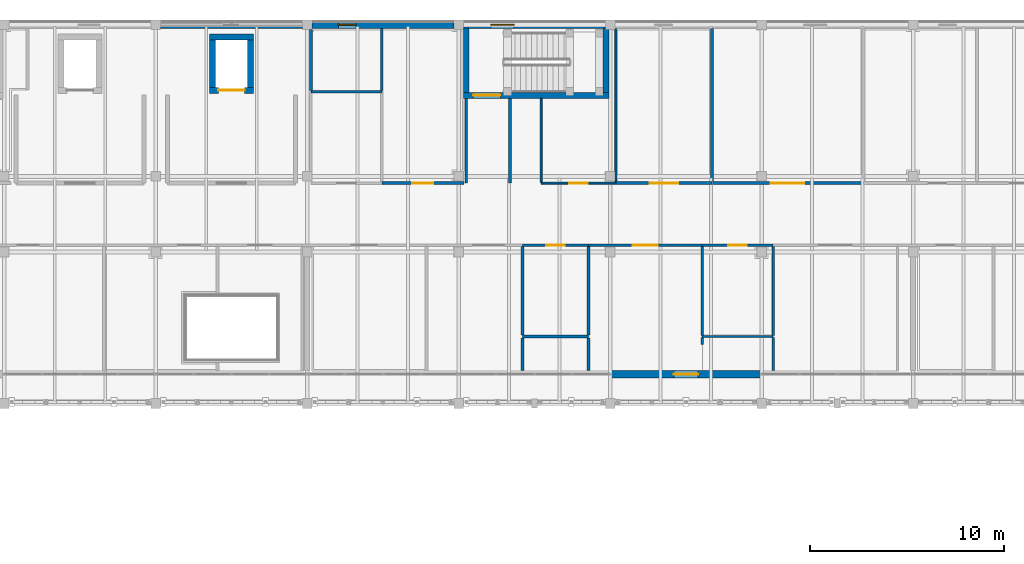
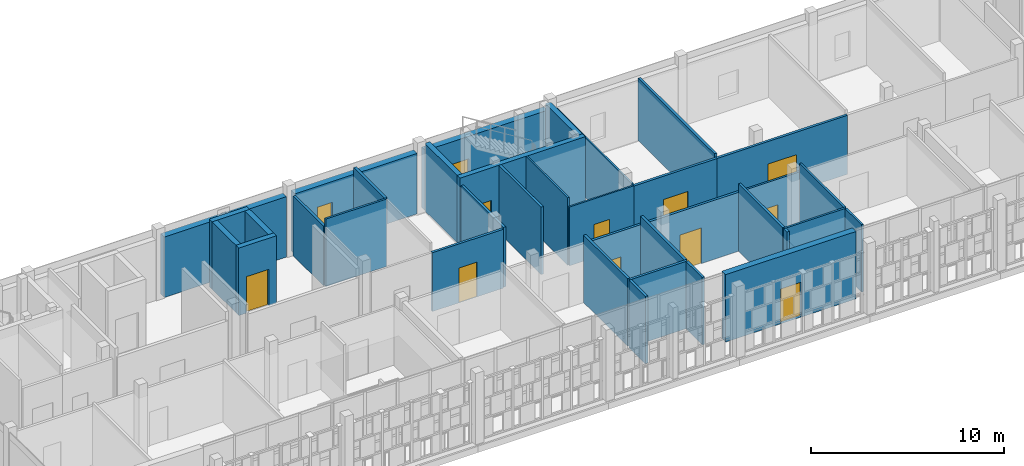
# One storey, part 70 of 89: 36 walls, 10 doors, 2 windows, 12 openings.
"""IFC4 building model written with IfcOpenShell, lengths in metres."""

from ifc_helpers import new_model, si_unit, direction, frame, frame_2d, origin, place, context, subcontext, project, spatial, rectangle, extrude, material, layer, layer_set, type_object, element, fill, save


model = new_model("IFC4")

# Units and contexts
model_context = context("Model", 3, precision=1e-05, world=origin(), true_north=direction((0.0, 1.0)))
body_context = subcontext(model_context, "Body", "Model", "MODEL_VIEW")
ifc_project = project(units=[si_unit("LENGTHUNIT", "METRE"), si_unit("AREAUNIT", "SQUARE_METRE"), si_unit("VOLUMEUNIT", "CUBIC_METRE"), si_unit("PLANEANGLEUNIT", "RADIAN"), si_unit("MASSUNIT", "GRAM", prefix="KILO")], contexts=[model_context])

# Site, building, storey
site_placement = place(None, origin())
site = spatial("IfcSite", under=ifc_project, at=site_placement, CompositionType="ELEMENT")
building_placement = place(site_placement, origin())
building = spatial("IfcBuilding", under=site, at=building_placement, Name="Celorna Specialist Clinic", CompositionType="ELEMENT")
storey_placement = place(building_placement, frame((0.0, 0.0, 14.10009765625)))
storey = spatial("IfcBuildingStorey", under=building, at=storey_placement, Name="L03", CompositionType="ELEMENT", Elevation=14.10009765625)

# Wall, opening, door
ifc_material_1 = material(Name="Terracotta masonry with insulated cavity", Category="masonry")
ifc_layer_1 = layer(ifc_material_1, 0.3798828125, Name="Terracotta masonry with insulated cavity")
ifc_layer_set_1 = layer_set([ifc_layer_1], Name="Terracotta masonry with insulated cavity")
wall_type_1 = type_object("IfcWallType", Name="WT-06", PredefinedType="STANDARD", material=ifc_layer_set_1)
wall_1_placement = place(storey_placement, frame((93.60009765625, 98.0, 0.0), z_axis=(0.0, 0.0, 1.0), x_axis=(-1.0, 0.0, 0.0)))
wall_1 = element("IfcWall", 1, at=wall_1_placement, inside=storey, type_object=wall_type_1, Name="External facade wall WT-06 #255", PredefinedType="STANDARD", context=body_context, shape_type="SweptSolid", body=[
    extrude(rectangle(XDim=7.800048828125, YDim=0.3798828125, at=frame_2d((3.89990234375, 0.0))), origin(), (0.0, 0.0, 1.0), 4.260009765625),
])
opening_1_placement = place(wall_1_placement, frame((3.27490234375, 0.0, 0.0)))
opening_1 = element("IfcOpeningElement", 2, at=opening_1_placement, cuts=wall_1, Name="Opening DR-13", PredefinedType="OPENING", context=body_context, shape_type="SweptSolid", body=[
    extrude(rectangle(XDim=1.25, YDim=2.199951171875, at=frame_2d((0.625, 1.10009765625))), frame((0.0, 0.199951171875, 0.0), z_axis=(0.0, -1.0, 0.0), x_axis=(1.0, 0.0, 0.0)), (0.0, 0.0, 1.0), 0.39990234375),
])
ifc_material_2 = material(Name="Thermally broken glazed terrace door")
door_type_1 = type_object("IfcDoorType", Name="DR-13", OperationType="NOTDEFINED", PredefinedType="DOOR", material=ifc_material_2)
door_1_placement = place(opening_1_placement, frame((1.25, 0.0, 0.0), z_axis=(0.0, 0.0, 1.0), x_axis=(-1.0, 0.0, 0.0)))
door_1 = element("IfcDoor", 3, at=door_1_placement, inside=storey, type_object=door_type_1, Name="Terrace access door TER-V4-VER-L03", OperationType="SINGLE_SWING_LEFT", OverallHeight=2.199951171875, OverallWidth=1.25, PredefinedType="DOOR", context=body_context, shape_type="SweptSolid", body=[
    extrude(rectangle(XDim=1.25, YDim=2.199951171875, at=frame_2d((0.625, 1.10009765625))), frame((0.0, 0.02490234375, 0.0), z_axis=(0.0, -1.0, 0.0), x_axis=(1.0, 0.0, 0.0)), (0.0, 0.0, 1.0), 0.050048828125),
])
fill(opening_1, door_1)

# Wall
wall_2_placement = place(storey_placement, frame((62.64990234375, 116.0, 0.0), z_axis=(0.0, 0.0, 1.0), x_axis=(1.0, 0.0, 0.0)))
element("IfcWall", 4, at=wall_2_placement, inside=storey, type_object=wall_type_1, Name="External facade wall WT-06 #259", PredefinedType="STANDARD", context=body_context, shape_type="SweptSolid", body=[
    extrude(rectangle(XDim=7.300048828125, YDim=0.3798828125, at=frame_2d((3.64990234375, 0.0))), origin(), (0.0, 0.0, 1.0), 3.81982421875),
])

# Wall, opening, window
wall_3_placement = place(storey_placement, frame((70.449951171875, 116.0, 0.0), z_axis=(0.0, 0.0, 1.0), x_axis=(1.0, 0.0, 0.0)))
wall_3 = element("IfcWall", 5, at=wall_3_placement, inside=storey, type_object=wall_type_1, Name="External facade wall WT-06 #260", PredefinedType="STANDARD", context=body_context, shape_type="SweptSolid", body=[
    extrude(rectangle(XDim=7.300048828125, YDim=0.3798828125, at=frame_2d((3.64990234375, 0.0))), origin(), (0.0, 0.0, 1.0), 3.81982421875),
])
opening_2_placement = place(wall_3_placement, frame((1.35498046875, 0.0, 0.89990234375)))
opening_2 = element("IfcOpeningElement", 6, at=opening_2_placement, cuts=wall_3, Name="Opening WN-01", PredefinedType="OPENING", context=body_context, shape_type="SweptSolid", body=[
    extrude(rectangle(XDim=0.89990234375, YDim=1.60009765625, at=frame_2d((0.449951171875, 0.800048828125))), frame((0.0, 0.199951171875, 0.0), z_axis=(0.0, -1.0, 0.0), x_axis=(1.0, 0.0, 0.0)), (0.0, 0.0, 1.0), 0.39990234375),
])
ifc_material_3 = material(Name="Thermally broken aluminium triple-glazed window", Category="aluminium")
window_type_1 = type_object("IfcWindowType", Name="WN-01", PartitioningType="SINGLE_PANEL", PredefinedType="WINDOW", material=ifc_material_3)
window_1_placement = place(opening_2_placement, origin())
window_1 = element("IfcWindow", 7, at=window_1_placement, inside=storey, type_object=window_type_1, Name="Facade window WN-01 #138", OverallHeight=1.60009765625, OverallWidth=0.89990234375, PartitioningType="SINGLE_PANEL", PredefinedType="WINDOW", context=body_context, shape_type="SweptSolid", body=[
    extrude(rectangle(XDim=0.89990234375, YDim=1.60009765625, at=frame_2d((0.449951171875, 0.800048828125))), frame((0.0, 0.030029296875, 0.0), z_axis=(0.0, -1.0, 0.0), x_axis=(1.0, 0.0, 0.0)), (0.0, 0.0, 1.0), 0.06005859375),
])
fill(opening_2, window_1)

wall_4_placement = place(storey_placement, frame((78.25, 116.0, 0.0), z_axis=(0.0, 0.0, 1.0), x_axis=(1.0, 0.0, 0.0)))
wall_4 = element("IfcWall", 8, at=wall_4_placement, inside=storey, type_object=wall_type_1, Name="External facade wall WT-06 #261", PredefinedType="STANDARD", context=body_context, shape_type="SweptSolid", body=[
    extrude(rectangle(XDim=7.300048828125, YDim=0.3798828125, at=frame_2d((3.64990234375, 0.0))), origin(), (0.0, 0.0, 1.0), 3.81982421875),
])
opening_3_placement = place(wall_4_placement, frame((1.405029296875, 0.0, 0.89990234375)))
opening_3 = element("IfcOpeningElement", 9, at=opening_3_placement, cuts=wall_4, Name="Opening WN-04", PredefinedType="OPENING", context=body_context, shape_type="SweptSolid", body=[
    extrude(rectangle(XDim=1.199951171875, YDim=1.5, at=frame_2d((0.60009765625, 0.75))), frame((0.0, 0.199951171875, 0.0), z_axis=(0.0, -1.0, 0.0), x_axis=(1.0, 0.0, 0.0)), (0.0, 0.0, 1.0), 0.39990234375),
])
window_type_2 = type_object("IfcWindowType", Name="WN-04", PartitioningType="SINGLE_PANEL", PredefinedType="WINDOW", material=ifc_material_3)
window_2_placement = place(opening_3_placement, origin())
window_2 = element("IfcWindow", 10, at=window_2_placement, inside=storey, type_object=window_type_2, Name="Facade window WN-04 #139", OverallHeight=1.5, OverallWidth=1.199951171875, PartitioningType="SINGLE_PANEL", PredefinedType="WINDOW", context=body_context, shape_type="SweptSolid", body=[
    extrude(rectangle(XDim=1.199951171875, YDim=1.5, at=frame_2d((0.60009765625, 0.75))), frame((0.0, 0.030029296875, 0.0), z_axis=(0.0, -1.0, 0.0), x_axis=(1.0, 0.0, 0.0)), (0.0, 0.0, 1.0), 0.06005859375),
])
fill(opening_3, window_2)

# Wall, opening, door
ifc_material_4 = material(Name="Concrete C35/45", Category="concrete")
ifc_layer_2 = layer(ifc_material_4, 0.300048828125, Name="Concrete C35/45")
ifc_layer_set_2 = layer_set([ifc_layer_2], Name="Concrete C35/45")
wall_type_2 = type_object("IfcWallType", Name="WT-08", PredefinedType="SHEAR", material=ifc_layer_set_2)
wall_5_placement = place(storey_placement, frame((78.239990234375, 112.3701171875, 0.0), z_axis=(0.0, 0.0, 1.0), x_axis=(1.0, 0.0, 0.0)))
wall_5 = element("IfcWall", 11, at=wall_5_placement, inside=storey, type_object=wall_type_2, Name="Stair ST-02 RC core wall L03 south", PredefinedType="SHEAR", context=body_context, shape_type="SweptSolid", body=[
    extrude(rectangle(XDim=7.5, YDim=0.300048828125, at=frame_2d((3.75, 0.0))), origin(), (0.0, 0.0, 1.0), 4.260009765625),
])
opening_4_placement = place(wall_5_placement, frame((0.5, 0.0, 0.0)))
opening_4 = element("IfcOpeningElement", 12, at=opening_4_placement, cuts=wall_5, Name="Opening DR-10", PredefinedType="OPENING", context=body_context, shape_type="SweptSolid", body=[
    extrude(rectangle(XDim=1.39990234375, YDim=2.199951171875, at=frame_2d((0.699951171875, 1.10009765625))), frame((0.0, 0.159912109375, 0.0), z_axis=(0.0, -1.0, 0.0), x_axis=(1.0, 0.0, 0.0)), (0.0, 0.0, 1.0), 0.320068359375),
])
ifc_material_5 = material(Name="Protected exit stair fire door")
door_type_2 = type_object("IfcDoorType", Name="DR-10", OperationType="NOTDEFINED", PredefinedType="DOOR", material=ifc_material_5)
door_2_placement = place(opening_4_placement, origin())
door_2 = element("IfcDoor", 13, at=door_2_placement, inside=storey, type_object=door_type_2, Name="Protected exit stair door ST-02 L03", OperationType="SINGLE_SWING_LEFT", OverallHeight=2.199951171875, OverallWidth=1.39990234375, PredefinedType="DOOR", context=body_context, shape_type="SweptSolid", body=[
    extrude(rectangle(XDim=1.39990234375, YDim=2.199951171875, at=frame_2d((0.699951171875, 1.10009765625))), frame((0.0, 0.02490234375, 0.0), z_axis=(0.0, -1.0, 0.0), x_axis=(1.0, 0.0, 0.0)), (0.0, 0.0, 1.0), 0.050048828125),
])
fill(opening_4, door_2)

# Walls
for number, where, z_axis, x_axis, name in (
    (14, (78.389892578125, 115.85009765625, 0.0), (0.0, 0.0, 1.0), (0.0, -1.0, 0.0), "Stair ST-02 RC core wall L03 west"),
    (15, (85.590087890625, 112.52001953125, 0.0), (0.0, 0.0, 1.0), (0.0, 1.0, 0.0), "Stair ST-02 RC core wall L03 east"),
):
    element("IfcWall", number, at=place(storey_placement, frame(where, z_axis=z_axis, x_axis=x_axis)), inside=storey, type_object=wall_type_2, Name=name, PredefinedType="SHEAR", context=body_context, shape_type="SweptSolid", body=[
        extrude(rectangle(XDim=3.330078125, YDim=0.300048828125, at=frame_2d((1.6650390625, 0.0))), origin(), (0.0, 0.0, 1.0), 4.260009765625),
    ])

# Wall, opening, door
wall_6_placement = place(storey_placement, frame((65.175048828125, 112.625, 0.0), z_axis=(0.0, 0.0, 1.0), x_axis=(1.0, 0.0, 0.0)))
wall_6 = element("IfcWall", 16, at=wall_6_placement, inside=storey, type_object=wall_type_2, Name="Lift LF-02 RC shaft wall L03", PredefinedType="SHEAR", context=body_context, shape_type="SweptSolid", body=[
    extrude(rectangle(XDim=2.25, YDim=0.300048828125, at=frame_2d((1.125, 0.0))), origin(), (0.0, 0.0, 1.0), 4.260009765625),
])
opening_5_placement = place(wall_6_placement, frame((0.449951171875, 0.0, 0.0)))
opening_5 = element("IfcOpeningElement", 17, at=opening_5_placement, cuts=wall_6, Name="Opening LD-02", PredefinedType="OPENING", context=body_context, shape_type="SweptSolid", body=[
    extrude(rectangle(XDim=1.35009765625, YDim=2.300048828125, at=frame_2d((0.675048828125, 1.14990234375))), frame((0.0, 0.159912109375, 0.0), z_axis=(0.0, -1.0, 0.0), x_axis=(1.0, 0.0, 0.0)), (0.0, 0.0, 1.0), 0.320068359375),
])
ifc_material_6 = material(Name="Firefighting stretcher lift landing sliding door")
door_type_3 = type_object("IfcDoorType", Name="LD-02", OperationType="DOUBLE_DOOR_SLIDING", PredefinedType="DOOR", material=ifc_material_6)
door_3_placement = place(opening_5_placement, origin())
door_3 = element("IfcDoor", 18, at=door_3_placement, inside=storey, type_object=door_type_3, Name="Lift LF-02 sliding landing door L03", OperationType="DOUBLE_DOOR_SLIDING", OverallHeight=2.300048828125, OverallWidth=1.35009765625, PredefinedType="DOOR", context=body_context, shape_type="SweptSolid", body=[
    extrude(rectangle(XDim=1.35009765625, YDim=2.300048828125, at=frame_2d((0.675048828125, 1.14990234375))), frame((0.0, 0.02490234375, 0.0), z_axis=(0.0, -1.0, 0.0), x_axis=(1.0, 0.0, 0.0)), (0.0, 0.0, 1.0), 0.050048828125),
])
fill(opening_5, door_3)

# Walls
wall_7_placement = place(storey_placement, frame((67.425048828125, 115.375, 0.0), z_axis=(0.0, 0.0, 1.0), x_axis=(-1.0, 0.0, 0.0)))
element("IfcWall", 19, at=wall_7_placement, inside=storey, type_object=wall_type_2, Name="Lift LF-02 RC shaft wall L03", PredefinedType="SHEAR", context=body_context, shape_type="SweptSolid", body=[
    extrude(rectangle(XDim=2.25, YDim=0.300048828125, at=frame_2d((1.125, 0.0))), origin(), (0.0, 0.0, 1.0), 4.260009765625),
])
for number, where, z_axis, x_axis, name in (
    (20, (65.324951171875, 115.22509765625, 0.0), (0.0, 0.0, 1.0), (0.0, -1.0, 0.0), "Lift LF-02 RC shaft wall L03"),
    (21, (67.27490234375, 112.77490234375, 0.0), (0.0, 0.0, 1.0), (0.0, 1.0, 0.0), "Lift LF-02 RC shaft wall L03"),
):
    element("IfcWall", number, at=place(storey_placement, frame(where, z_axis=z_axis, x_axis=x_axis)), inside=storey, type_object=wall_type_2, Name=name, PredefinedType="SHEAR", context=body_context, shape_type="SweptSolid", body=[
        extrude(rectangle(XDim=2.4501953125, YDim=0.300048828125, at=frame_2d((1.22509765625, 0.0))), origin(), (0.0, 0.0, 1.0), 4.260009765625),
    ])
ifc_material_7 = material(Name="Fire-rated gypsum board partition")
ifc_layer_3 = layer(ifc_material_7, 0.14990234375, Name="Fire-rated gypsum board partition")
ifc_layer_set_3 = layer_set([ifc_layer_3], Name="Fire-rated gypsum board partition")
wall_type_3 = type_object("IfcWallType", Name="WT-14", PredefinedType="PARTITIONING", material=ifc_layer_set_3)
wall_8_placement = place(storey_placement, frame((78.389892578125, 107.85009765625, 0.0), z_axis=(0.0, 0.0, 1.0), x_axis=(0.0, 1.0, 0.0)))
element("IfcWall", 22, at=wall_8_placement, inside=storey, type_object=wall_type_3, Name="Corridor spur partition WT-14", PredefinedType="PARTITIONING", context=body_context, shape_type="SweptSolid", body=[
    extrude(rectangle(XDim=4.369873046875, YDim=0.14990234375, at=frame_2d((2.18505859375, 0.0))), origin(), (0.0, 0.0, 1.0), 3.77001953125),
])
wall_9_placement = place(storey_placement, frame((80.639892578125, 107.85009765625, 0.0), z_axis=(0.0, 0.0, 1.0), x_axis=(0.0, 1.0, 0.0)))
element("IfcWall", 23, at=wall_9_placement, inside=storey, type_object=wall_type_3, Name="Corridor spur partition WT-14", PredefinedType="PARTITIONING", context=body_context, shape_type="SweptSolid", body=[
    extrude(rectangle(XDim=4.369873046875, YDim=0.14990234375, at=frame_2d((2.18505859375, 0.0))), origin(), (0.0, 0.0, 1.0), 4.260009765625),
])

# Wall, opening, door
wall_10_placement = place(storey_placement, frame((84.68994140625, 104.64990234375, 0.0), z_axis=(0.0, 0.0, 1.0), x_axis=(-1.0, 0.0, 0.0)))
wall_10 = element("IfcWall", 24, at=wall_10_placement, inside=storey, type_object=wall_type_3, Name="Interior partition WT-14 L03-018", PredefinedType="PARTITIONING", context=body_context, shape_type="SweptSolid", body=[
    extrude(rectangle(XDim=3.39990234375, YDim=0.14990234375, at=frame_2d((1.699951171875, 0.0))), origin(), (0.0, 0.0, 1.0), 3.719970703125),
])
opening_6_placement = place(wall_10_placement, frame((1.22509765625, 0.0, 0.0)))
opening_6 = element("IfcOpeningElement", 25, at=opening_6_placement, cuts=wall_10, Name="Opening DR-03", PredefinedType="OPENING", context=body_context, shape_type="SweptSolid", body=[
    extrude(rectangle(XDim=0.949951171875, YDim=2.10009765625, at=frame_2d((0.47509765625, 1.050048828125))), frame((0.0, 0.0849609375, 0.0), z_axis=(0.0, -1.0, 0.0), x_axis=(1.0, 0.0, 0.0)), (0.0, 0.0, 1.0), 0.169921875),
])
ifc_material_8 = material(Name="Moisture-resistant accessible WC door")
door_type_4 = type_object("IfcDoorType", Name="DR-03", OperationType="NOTDEFINED", PredefinedType="DOOR", material=ifc_material_8)
door_4_placement = place(opening_6_placement, origin())
door_4 = element("IfcDoor", 26, at=door_4_placement, inside=storey, type_object=door_type_4, Name="Accessible WC door L03-018", OperationType="SINGLE_SWING_RIGHT", OverallHeight=2.10009765625, OverallWidth=0.949951171875, PredefinedType="DOOR", context=body_context, shape_type="SweptSolid", body=[
    extrude(rectangle(XDim=0.949951171875, YDim=2.10009765625, at=frame_2d((0.47509765625, 1.050048828125))), frame((0.0, 0.02490234375, 0.0), z_axis=(0.0, -1.0, 0.0), x_axis=(1.0, 0.0, 0.0)), (0.0, 0.0, 1.0), 0.050048828125),
])
fill(opening_6, door_4)

# Wall
wall_11_placement = place(storey_placement, frame((81.2900390625, 99.949951171875, 0.0), z_axis=(0.0, 0.0, 1.0), x_axis=(1.0, 0.0, 0.0)))
element("IfcWall", 27, at=wall_11_placement, inside=storey, type_object=wall_type_3, Name="Sanitary suite rear partition L03-018", PredefinedType="PARTITIONING", context=body_context, shape_type="SweptSolid", body=[
    extrude(rectangle(XDim=3.39990234375, YDim=0.14990234375, at=frame_2d((1.699951171875, 0.0))), origin(), (0.0, 0.0, 1.0), 4.260009765625),
])

# Wall, opening, door
wall_12_placement = place(storey_placement, frame((90.5400390625, 104.64990234375, 0.0), z_axis=(0.0, 0.0, 1.0), x_axis=(-1.0, 0.0, 0.0)))
wall_12 = element("IfcWall", 28, at=wall_12_placement, inside=storey, type_object=wall_type_3, Name="Interior partition WT-14 L03-019", PredefinedType="PARTITIONING", context=body_context, shape_type="SweptSolid", body=[
    extrude(rectangle(XDim=5.85009765625, YDim=0.14990234375, at=frame_2d((2.925048828125, 0.0))), origin(), (0.0, 0.0, 1.0), 3.719970703125),
])
opening_7_placement = place(wall_12_placement, frame((2.284912109375, 0.0, 0.0)))
opening_7 = element("IfcOpeningElement", 29, at=opening_7_placement, cuts=wall_12, Name="Opening DR-22", PredefinedType="OPENING", context=body_context, shape_type="SweptSolid", body=[
    extrude(rectangle(XDim=1.280029296875, YDim=2.25, at=frame_2d((0.64013671875, 1.125))), frame((0.0, 0.0849609375, 0.0), z_axis=(0.0, -1.0, 0.0), x_axis=(1.0, 0.0, 0.0)), (0.0, 0.0, 1.0), 0.169921875),
])
ifc_material_9 = material(Name="Diagnostic procedure room door")
door_type_5 = type_object("IfcDoorType", Name="DR-22", OperationType="NOTDEFINED", PredefinedType="DOOR", material=ifc_material_9)
door_5_placement = place(opening_7_placement, origin())
door_5 = element("IfcDoor", 30, at=door_5_placement, inside=storey, type_object=door_type_5, Name="Cardiac Treadmill Stress Testing Room door L03-019", OperationType="SINGLE_SWING_LEFT", OverallHeight=2.25, OverallWidth=1.280029296875, PredefinedType="DOOR", context=body_context, shape_type="SweptSolid", body=[
    extrude(rectangle(XDim=1.280029296875, YDim=2.25, at=frame_2d((0.64013671875, 1.125))), frame((0.0, 0.02490234375, 0.0), z_axis=(0.0, -1.0, 0.0), x_axis=(1.0, 0.0, 0.0)), (0.0, 0.0, 1.0), 0.050048828125),
])
fill(opening_7, door_5)

wall_13_placement = place(storey_placement, frame((74.0400390625, 107.85009765625, 0.0), z_axis=(0.0, 0.0, 1.0), x_axis=(1.0, 0.0, 0.0)))
wall_13 = element("IfcWall", 31, at=wall_13_placement, inside=storey, type_object=wall_type_3, Name="Interior partition WT-14 L03-030", PredefinedType="PARTITIONING", context=body_context, shape_type="SweptSolid", body=[
    extrude(rectangle(XDim=4.22998046875, YDim=0.14990234375, at=frame_2d((2.114990234375, 0.0))), origin(), (0.0, 0.0, 1.0), 3.719970703125),
])
opening_8_placement = place(wall_13_placement, frame((1.574951171875, 0.0, 0.0)))
opening_8 = element("IfcOpeningElement", 32, at=opening_8_placement, cuts=wall_13, Name="Opening DR-21", PredefinedType="OPENING", context=body_context, shape_type="SweptSolid", body=[
    extrude(rectangle(XDim=1.080078125, YDim=2.199951171875, at=frame_2d((0.5400390625, 1.10009765625))), frame((0.0, 0.0849609375, 0.0), z_axis=(0.0, -1.0, 0.0), x_axis=(1.0, 0.0, 0.0)), (0.0, 0.0, 1.0), 0.169921875),
])
ifc_material_10 = material(Name="Timber outpatient suite door", Category="wood")
door_type_6 = type_object("IfcDoorType", Name="DR-21", OperationType="NOTDEFINED", PredefinedType="DOOR", material=ifc_material_10)
door_6_placement = place(opening_8_placement, origin())
door_6 = element("IfcDoor", 33, at=door_6_placement, inside=storey, type_object=door_type_6, Name="Cardiology Echocardiography Clinic door L03-030", OperationType="SINGLE_SWING_RIGHT", OverallHeight=2.199951171875, OverallWidth=1.080078125, PredefinedType="DOOR", context=body_context, shape_type="SweptSolid", body=[
    extrude(rectangle(XDim=1.080078125, YDim=2.199951171875, at=frame_2d((0.5400390625, 1.10009765625))), frame((0.0, 0.02490234375, 0.0), z_axis=(0.0, -1.0, 0.0), x_axis=(1.0, 0.0, 0.0)), (0.0, 0.0, 1.0), 0.050048828125),
])
fill(opening_8, door_6)

wall_14_placement = place(storey_placement, frame((86.090087890625, 107.85009765625, 0.0), z_axis=(0.0, 0.0, 1.0), x_axis=(1.0, 0.0, 0.0)))
wall_14 = element("IfcWall", 34, at=wall_14_placement, inside=storey, type_object=wall_type_3, Name="Interior partition WT-14 L03-032", PredefinedType="PARTITIONING", context=body_context, shape_type="SweptSolid", body=[
    extrude(rectangle(XDim=4.949951171875, YDim=0.14990234375, at=frame_2d((2.47509765625, 0.0))), origin(), (0.0, 0.0, 1.0), 3.719970703125),
])
opening_9_placement = place(wall_14_placement, frame((1.735107421875, 0.0, 0.0)))
opening_9 = element("IfcOpeningElement", 35, at=opening_9_placement, cuts=wall_14, Name="Opening DR-23", PredefinedType="OPENING", context=body_context, shape_type="SweptSolid", body=[
    extrude(rectangle(XDim=1.47998046875, YDim=2.25, at=frame_2d((0.739990234375, 1.125))), frame((0.0, 0.0849609375, 0.0), z_axis=(0.0, -1.0, 0.0), x_axis=(1.0, 0.0, 0.0)), (0.0, 0.0, 1.0), 0.169921875),
])
ifc_material_11 = material(Name="Double leaf treatment room door")
door_type_7 = type_object("IfcDoorType", Name="DR-23", OperationType="DOUBLE_DOOR_SINGLE_SWING", PredefinedType="DOOR", material=ifc_material_11)
door_7_placement = place(opening_9_placement, origin())
door_7 = element("IfcDoor", 36, at=door_7_placement, inside=storey, type_object=door_type_7, Name="Cardiology Echocardiography Clinic door L03-032", OperationType="DOUBLE_DOOR_SINGLE_SWING", OverallHeight=2.25, OverallWidth=1.47998046875, PredefinedType="DOOR", context=body_context, shape_type="SweptSolid", body=[
    extrude(rectangle(XDim=1.47998046875, YDim=2.25, at=frame_2d((0.739990234375, 1.125))), frame((0.0, 0.02490234375, 0.0), z_axis=(0.0, -1.0, 0.0), x_axis=(1.0, 0.0, 0.0)), (0.0, 0.0, 1.0), 0.050048828125),
])
fill(opening_9, door_7)

wall_15_placement = place(storey_placement, frame((91.0400390625, 107.85009765625, 0.0), z_axis=(0.0, 0.0, 1.0), x_axis=(1.0, 0.0, 0.0)))
wall_15 = element("IfcWall", 37, at=wall_15_placement, inside=storey, type_object=wall_type_3, Name="Interior partition WT-14 L03-033", PredefinedType="PARTITIONING", context=body_context, shape_type="SweptSolid", body=[
    extrude(rectangle(XDim=7.800048828125, YDim=0.14990234375, at=frame_2d((3.89990234375, 0.0))), origin(), (0.0, 0.0, 1.0), 3.719970703125),
])
opening_10_placement = place(wall_15_placement, frame((3.0400390625, 0.0, 0.0)))
opening_10 = element("IfcOpeningElement", 38, at=opening_10_placement, cuts=wall_15, Name="Opening DR-24", PredefinedType="OPENING", context=body_context, shape_type="SweptSolid", body=[
    extrude(rectangle(XDim=1.719970703125, YDim=2.300048828125, at=frame_2d((0.85986328125, 1.14990234375))), frame((0.0, 0.0849609375, 0.0), z_axis=(0.0, -1.0, 0.0), x_axis=(1.0, 0.0, 0.0)), (0.0, 0.0, 1.0), 0.169921875),
])
ifc_material_12 = material(Name="Double leaf clinical waiting door")
door_type_8 = type_object("IfcDoorType", Name="DR-24", OperationType="DOUBLE_DOOR_SINGLE_SWING", PredefinedType="DOOR", material=ifc_material_12)
door_8_placement = place(opening_10_placement, origin())
door_8 = element("IfcDoor", 39, at=door_8_placement, inside=storey, type_object=door_type_8, Name="Cardiac Treadmill Stress Testing Room door L03-033", OperationType="DOUBLE_DOOR_SINGLE_SWING", OverallHeight=2.300048828125, OverallWidth=1.719970703125, PredefinedType="DOOR", context=body_context, shape_type="SweptSolid", body=[
    extrude(rectangle(XDim=1.719970703125, YDim=2.300048828125, at=frame_2d((0.85986328125, 1.14990234375))), frame((0.0, 0.02490234375, 0.0), z_axis=(0.0, -1.0, 0.0), x_axis=(1.0, 0.0, 0.0)), (0.0, 0.0, 1.0), 0.050048828125),
])
fill(opening_10, door_8)

# Walls
wall_16_placement = place(storey_placement, frame((81.2900390625, 98.18994140625, 0.0), z_axis=(0.0, 0.0, 1.0), x_axis=(0.0, 1.0, 0.0)))
element("IfcWall", 40, at=wall_16_placement, inside=storey, type_object=wall_type_3, Name="Room dividing partition WT-14 L03-017", PredefinedType="PARTITIONING", context=body_context, shape_type="SweptSolid", body=[
    extrude(rectangle(XDim=1.68505859375, YDim=0.14990234375, at=frame_2d((0.842529296875, 0.0))), origin(), (0.0, 0.0, 1.0), 4.260009765625),
])
for number, where, z_axis, x_axis, name in (
    (41, (81.2900390625, 100.02490234375, 0.0), (0.0, 0.0, 1.0), (0.0, 1.0, 0.0), "Room dividing partition WT-14 L03-017"),
    (42, (84.68994140625, 100.02490234375, 0.0), (0.0, 0.0, 1.0), (0.0, 1.0, 0.0), "Room dividing partition WT-14 L03-018"),
):
    element("IfcWall", number, at=place(storey_placement, frame(where, z_axis=z_axis, x_axis=x_axis)), inside=storey, type_object=wall_type_3, Name=name, PredefinedType="PARTITIONING", context=body_context, shape_type="SweptSolid", body=[
        extrude(rectangle(XDim=4.550048828125, YDim=0.14990234375, at=frame_2d((2.27490234375, 0.0))), origin(), (0.0, 0.0, 1.0), 4.260009765625),
    ])
wall_17_placement = place(storey_placement, frame((84.68994140625, 98.18994140625, 0.0), z_axis=(0.0, 0.0, 1.0), x_axis=(0.0, 1.0, 0.0)))
element("IfcWall", 43, at=wall_17_placement, inside=storey, type_object=wall_type_3, Name="Room dividing partition WT-14 L03-019", PredefinedType="PARTITIONING", context=body_context, shape_type="SweptSolid", body=[
    extrude(rectangle(XDim=1.68505859375, YDim=0.14990234375, at=frame_2d((0.842529296875, 0.0))), origin(), (0.0, 0.0, 1.0), 4.260009765625),
])
wall_18_placement = place(storey_placement, frame((90.5400390625, 99.550048828125, 0.0), z_axis=(0.0, 0.0, 1.0), x_axis=(0.0, 1.0, 0.0)))
element("IfcWall", 44, at=wall_18_placement, inside=storey, type_object=wall_type_3, Name="Room dividing partition WT-14 L03-019", PredefinedType="PARTITIONING", context=body_context, shape_type="SweptSolid", body=[
    extrude(rectangle(XDim=0.33984375, YDim=0.14990234375, at=frame_2d((0.169921875, 0.0))), origin(), (0.0, 0.0, 1.0), 4.260009765625),
])
wall_19_placement = place(storey_placement, frame((90.5400390625, 100.010009765625, 0.0), z_axis=(0.0, 0.0, 1.0), x_axis=(0.0, 1.0, 0.0)))
element("IfcWall", 45, at=wall_19_placement, inside=storey, type_object=wall_type_3, Name="Room dividing partition WT-14 L03-019", PredefinedType="PARTITIONING", context=body_context, shape_type="SweptSolid", body=[
    extrude(rectangle(XDim=4.56494140625, YDim=0.14990234375, at=frame_2d((2.282470703125, 0.0))), origin(), (0.0, 0.0, 1.0), 4.260009765625),
])
wall_20_placement = place(storey_placement, frame((74.0400390625, 112.610107421875, 0.0), z_axis=(0.0, 0.0, 1.0), x_axis=(0.0, 1.0, 0.0)))
element("IfcWall", 46, at=wall_20_placement, inside=storey, type_object=wall_type_3, Name="Room dividing partition WT-14 L03-030", PredefinedType="PARTITIONING", context=body_context, shape_type="SweptSolid", body=[
    extrude(rectangle(XDim=3.199951171875, YDim=0.14990234375, at=frame_2d((1.60009765625, 0.0))), origin(), (0.0, 0.0, 1.0), 4.260009765625),
])
wall_21_placement = place(storey_placement, frame((70.389892578125, 112.610107421875, 0.0), z_axis=(0.0, 0.0, 1.0), x_axis=(0.0, 1.0, 0.0)))
element("IfcWall", 47, at=wall_21_placement, inside=storey, type_object=wall_type_3, Name="Room dividing partition WT-14 L03-030", PredefinedType="PARTITIONING", context=body_context, shape_type="SweptSolid", body=[
    extrude(rectangle(XDim=3.139892578125, YDim=0.14990234375, at=frame_2d((1.56982421875, 0.0))), origin(), (0.0, 0.0, 1.0), 3.77001953125),
])
wall_22_placement = place(storey_placement, frame((91.0400390625, 107.925048828125, 0.0), z_axis=(0.0, 0.0, 1.0), x_axis=(0.0, 1.0, 0.0)))
element("IfcWall", 48, at=wall_22_placement, inside=storey, type_object=wall_type_3, Name="Room dividing partition WT-14 L03-032", PredefinedType="PARTITIONING", context=body_context, shape_type="SweptSolid", body=[
    extrude(rectangle(XDim=7.885009765625, YDim=0.14990234375, at=frame_2d((3.9423828125, 0.0))), origin(), (0.0, 0.0, 1.0), 3.949951171875),
])

# Wall, opening, door
ifc_material_13 = material(Name="Acoustic gypsum board partition")
ifc_layer_4 = layer(ifc_material_13, 0.1201171875, Name="Acoustic gypsum board partition")
ifc_layer_set_4 = layer_set([ifc_layer_4], Name="Acoustic gypsum board partition")
wall_type_4 = type_object("IfcWallType", Name="WT-15", PredefinedType="PARTITIONING", material=ifc_layer_set_4)
wall_23_placement = place(storey_placement, frame((94.18994140625, 104.64990234375, 0.0), z_axis=(0.0, 0.0, 1.0), x_axis=(-1.0, 0.0, 0.0)))
wall_23 = element("IfcWall", 49, at=wall_23_placement, inside=storey, type_object=wall_type_4, Name="Interior partition WT-15 L03-020", PredefinedType="PARTITIONING", context=body_context, shape_type="SweptSolid", body=[
    extrude(rectangle(XDim=3.64990234375, YDim=0.1201171875, at=frame_2d((1.824951171875, 0.0))), origin(), (0.0, 0.0, 1.0), 3.719970703125),
])
opening_11_placement = place(wall_23_placement, frame((1.35009765625, 0.0, 0.0)))
opening_11 = element("IfcOpeningElement", 50, at=opening_11_placement, cuts=wall_23, Name="Opening DR-03", PredefinedType="OPENING", context=body_context, shape_type="SweptSolid", body=[
    extrude(rectangle(XDim=0.949951171875, YDim=2.10009765625, at=frame_2d((0.47509765625, 1.050048828125))), frame((0.0, 0.070068359375, 0.0), z_axis=(0.0, -1.0, 0.0), x_axis=(1.0, 0.0, 0.0)), (0.0, 0.0, 1.0), 0.14013671875),
])
door_9_placement = place(opening_11_placement, origin())
door_9 = element("IfcDoor", 51, at=door_9_placement, inside=storey, type_object=door_type_4, Name="Public Male WC door L03-020", OperationType="SINGLE_SWING_RIGHT", OverallHeight=2.10009765625, OverallWidth=0.949951171875, PredefinedType="DOOR", context=body_context, shape_type="SweptSolid", body=[
    extrude(rectangle(XDim=0.949951171875, YDim=2.10009765625, at=frame_2d((0.47509765625, 1.050048828125))), frame((0.0, 0.02490234375, 0.0), z_axis=(0.0, -1.0, 0.0), x_axis=(1.0, 0.0, 0.0)), (0.0, 0.0, 1.0), 0.050048828125),
])
fill(opening_11, door_9)

# Walls
wall_24_placement = place(storey_placement, frame((90.5400390625, 99.949951171875, 0.0), z_axis=(0.0, 0.0, 1.0), x_axis=(1.0, 0.0, 0.0)))
element("IfcWall", 52, at=wall_24_placement, inside=storey, type_object=wall_type_4, Name="Sanitary suite rear partition L03-020", PredefinedType="PARTITIONING", context=body_context, shape_type="SweptSolid", body=[
    extrude(rectangle(XDim=3.64990234375, YDim=0.1201171875, at=frame_2d((1.824951171875, 0.0))), origin(), (0.0, 0.0, 1.0), 4.260009765625),
])
wall_25_placement = place(storey_placement, frame((70.389892578125, 112.550048828125, 0.0), z_axis=(0.0, 0.0, 1.0), x_axis=(1.0, 0.0, 0.0)))
element("IfcWall", 53, at=wall_25_placement, inside=storey, type_object=wall_type_4, Name="Sanitary suite rear partition L03-029", PredefinedType="PARTITIONING", context=body_context, shape_type="SweptSolid", body=[
    extrude(rectangle(XDim=3.650146484375, YDim=0.1201171875, at=frame_2d((1.8251953125, 0.0))), origin(), (0.0, 0.0, 1.0), 4.260009765625),
])
wall_26_placement = place(storey_placement, frame((94.18994140625, 100.010009765625, 0.0), z_axis=(0.0, 0.0, 1.0), x_axis=(0.0, 1.0, 0.0)))
element("IfcWall", 54, at=wall_26_placement, inside=storey, type_object=wall_type_4, Name="Room dividing partition WT-15 L03-020", PredefinedType="PARTITIONING", context=body_context, shape_type="SweptSolid", body=[
    extrude(rectangle(XDim=4.580078125, YDim=0.1201171875, at=frame_2d((2.2900390625, 0.0))), origin(), (0.0, 0.0, 1.0), 4.260009765625),
])
wall_27_placement = place(storey_placement, frame((94.18994140625, 98.18994140625, 0.0), z_axis=(0.0, 0.0, 1.0), x_axis=(0.0, 1.0, 0.0)))
element("IfcWall", 55, at=wall_27_placement, inside=storey, type_object=wall_type_4, Name="Room dividing partition WT-15 L03-021", PredefinedType="PARTITIONING", context=body_context, shape_type="SweptSolid", body=[
    extrude(rectangle(XDim=1.699951171875, YDim=0.1201171875, at=frame_2d((0.85009765625, 0.0))), origin(), (0.0, 0.0, 1.0), 4.260009765625),
])

# Wall, opening, door
ifc_material_14 = material(Name="Moisture-resistant gypsum partition")
ifc_layer_5 = layer(ifc_material_14, 0.10009765625, Name="Moisture-resistant gypsum partition")
ifc_layer_set_5 = layer_set([ifc_layer_5], Name="Moisture-resistant gypsum partition")
wall_type_5 = type_object("IfcWallType", Name="WT-16", PredefinedType="PARTITIONING", material=ifc_layer_set_5)
wall_28_placement = place(storey_placement, frame((82.239990234375, 107.85009765625, 0.0), z_axis=(0.0, 0.0, 1.0), x_axis=(1.0, 0.0, 0.0)))
wall_28 = element("IfcWall", 56, at=wall_28_placement, inside=storey, type_object=wall_type_5, Name="Interior partition WT-16 L03-031", PredefinedType="PARTITIONING", context=body_context, shape_type="SweptSolid", body=[
    extrude(rectangle(XDim=3.85009765625, YDim=0.10009765625, at=frame_2d((1.925048828125, 0.0))), origin(), (0.0, 0.0, 1.0), 3.719970703125),
])
opening_12_placement = place(wall_28_placement, frame((1.449951171875, 0.0, 0.0)))
opening_12 = element("IfcOpeningElement", 57, at=opening_12_placement, cuts=wall_28, Name="Opening DR-03", PredefinedType="OPENING", context=body_context, shape_type="SweptSolid", body=[
    extrude(rectangle(XDim=0.949951171875, YDim=2.10009765625, at=frame_2d((0.47509765625, 1.050048828125))), frame((0.0, 0.06005859375, 0.0), z_axis=(0.0, -1.0, 0.0), x_axis=(1.0, 0.0, 0.0)), (0.0, 0.0, 1.0), 0.1201171875),
])
door_10_placement = place(opening_12_placement, origin())
door_10 = element("IfcDoor", 58, at=door_10_placement, inside=storey, type_object=door_type_4, Name="Staff WC door L03-031", OperationType="SINGLE_SWING_LEFT", OverallHeight=2.10009765625, OverallWidth=0.949951171875, PredefinedType="DOOR", context=body_context, shape_type="SweptSolid", body=[
    extrude(rectangle(XDim=0.949951171875, YDim=2.10009765625, at=frame_2d((0.47509765625, 1.050048828125))), frame((0.0, 0.02490234375, 0.0), z_axis=(0.0, -1.0, 0.0), x_axis=(1.0, 0.0, 0.0)), (0.0, 0.0, 1.0), 0.050048828125),
])
fill(opening_12, door_10)

# Walls
wall_29_placement = place(storey_placement, frame((82.239990234375, 107.89990234375, 0.0), z_axis=(0.0, 0.0, 1.0), x_axis=(0.0, 1.0, 0.0)))
element("IfcWall", 59, at=wall_29_placement, inside=storey, type_object=wall_type_5, Name="Room dividing partition WT-16 L03-031", PredefinedType="PARTITIONING", context=body_context, shape_type="SweptSolid", body=[
    extrude(rectangle(XDim=4.320068359375, YDim=0.10009765625, at=frame_2d((2.16015625, 0.0))), origin(), (0.0, 0.0, 1.0), 4.260009765625),
])
wall_30_placement = place(storey_placement, frame((86.090087890625, 107.925048828125, 0.0), z_axis=(0.0, 0.0, 1.0), x_axis=(0.0, 1.0, 0.0)))
element("IfcWall", 60, at=wall_30_placement, inside=storey, type_object=wall_type_5, Name="Room dividing partition WT-16 L03-031", PredefinedType="PARTITIONING", context=body_context, shape_type="SweptSolid", body=[
    extrude(rectangle(XDim=7.885009765625, YDim=0.10009765625, at=frame_2d((3.9423828125, 0.0))), origin(), (0.0, 0.0, 1.0), 3.77001953125),
])

save(model, "model.ifc")
